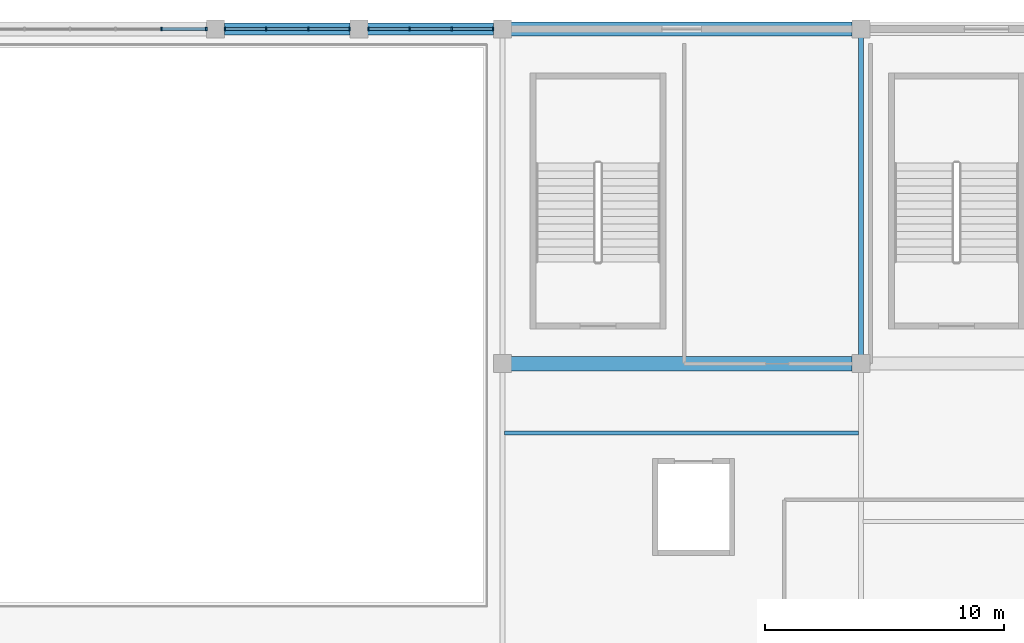
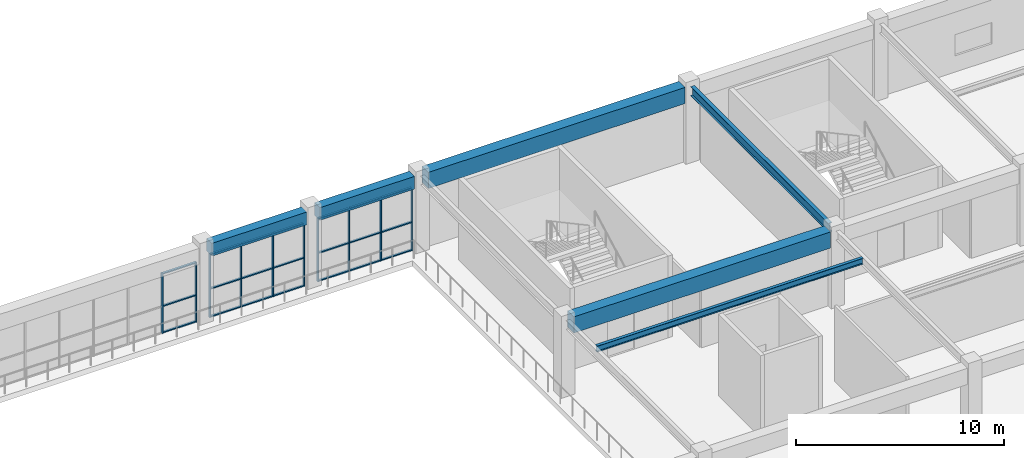
# One storey, part 64 of 112: 31 members, 6 beams, 3 elements without a shape of their own.
"""IFC4 building model written with IfcOpenShell, lengths in metres."""

from ifc_helpers import new_model, si_unit, direction, frame, origin, origin_2d, place, context, subcontext, project, spatial, rectangle, i_section, extrude, material, material_profile, profile_set, type_object, element, aggregate, save


model = new_model("IFC4")

# Units and contexts
model_context = context("Model", 3, precision=1e-05, world=origin(), true_north=direction((0.0, 1.0)))
body_context = subcontext(model_context, "Body", "Model", "MODEL_VIEW")
ifc_project = project(units=[si_unit("LENGTHUNIT", "METRE"), si_unit("AREAUNIT", "SQUARE_METRE"), si_unit("VOLUMEUNIT", "CUBIC_METRE"), si_unit("PLANEANGLEUNIT", "RADIAN"), si_unit("MASSUNIT", "GRAM", prefix="KILO")], contexts=[model_context])

# Site, building, storey
site_placement = place(None, origin())
site = spatial("IfcSite", under=ifc_project, at=site_placement, CompositionType="ELEMENT")
building_placement = place(site_placement, origin())
building = spatial("IfcBuilding", under=site, at=building_placement, Name="Cuetzalor Civic Arena", CompositionType="ELEMENT")
storey_placement = place(building_placement, frame((0.0, 0.0, 11.39990234375)))
storey = spatial("IfcBuildingStorey", under=building, at=storey_placement, Name="L02", CompositionType="ELEMENT", Elevation=11.39990234375)

# Beams
ifc_material_1 = material(Name="Concrete C40/50", Category="concrete")
ifc_material_profile_1 = material_profile(ifc_material_1, rectangle(XDim=0.5, YDim=0.75, at=origin_2d()), Name="RC 500x750")
ifc_profile_set_1 = profile_set([ifc_material_profile_1], Name="Concrete C40/50")
beam_type_1 = type_object("IfcBeamType", Name="ConcreteFrameBeam_500x750", PredefinedType="BEAM", material=ifc_profile_set_1)
for number, where, z_axis, x_axis, name in (
    (1, (-47.635009765625, 75.5, 4.10498046875), (1.0, 0.0, 0.0), (0.0, 1.0, 0.0), "Frame Girder V5-L02-X0810"),
    (2, (-41.635009765625, 75.5, 4.10498046875), (1.0, 0.0, 0.0), (0.0, 1.0, 0.0), "Frame Girder V5-L02-X0811"),
):
    element("IfcBeam", number, at=place(storey_placement, frame(where, z_axis=z_axis, x_axis=x_axis)), inside=storey, type_object=beam_type_1, Name=name, PredefinedType="BEAM", context=body_context, shape_type="SweptSolid", body=[
        extrude(rectangle(XDim=0.5, YDim=0.75, at=origin_2d()), origin(), (0.0, 0.0, 1.0), 5.27001953125),
    ])
ifc_material_2 = material(Name="Concrete C40/50", Category="concrete")
ifc_material_profile_2 = material_profile(ifc_material_2, rectangle(XDim=0.60009765625, YDim=0.949951171875, at=origin_2d()), Name="RC 600x950")
ifc_profile_set_2 = profile_set([ifc_material_profile_2], Name="Concrete C40/50")
beam_type_2 = type_object("IfcBeamType", Name="ConcreteFrameBeam_600x950", PredefinedType="BEAM", material=ifc_profile_set_2)
for number, where, z_axis, x_axis, name in (
    (3, (-35.635009765625, 61.5, 4.005126953125), (1.0, 0.0, 0.0), (0.0, 1.0, 0.0), "Frame Girder V5-L02-X0798"),
    (4, (-35.635009765625, 75.5, 4.005126953125), (1.0, 0.0, 0.0), (0.0, 1.0, 0.0), "Frame Girder V5-L02-X0812"),
):
    element("IfcBeam", number, at=place(storey_placement, frame(where, z_axis=z_axis, x_axis=x_axis)), inside=storey, type_object=beam_type_2, Name=name, PredefinedType="BEAM", context=body_context, shape_type="SweptSolid", body=[
        extrude(rectangle(XDim=0.60009765625, YDim=0.949951171875, at=origin_2d()), origin(), (0.0, 0.0, 1.0), 14.27001953125),
    ])

# Curtain wall, members
ifc_material_3 = material(Name="Anodised dark bronze aluminium and low-E solar glass", Category="aluminium")
curtain_wall_type_1 = type_object("IfcCurtainWallType", Name="StickCW_15300x3500", PredefinedType="USERDEFINED", material=ifc_material_3)
curtain_wall_1_placement = place(storey_placement, origin())
curtain_wall_1 = element("IfcCurtainWall", 5, at=curtain_wall_1_placement, inside=storey, type_object=curtain_wall_type_1, Name="Practice Court North-Light Curtain Wall L02-158", ObjectType="STICK CURTAIN WALL", PredefinedType="USERDEFINED")
ifc_material_4 = material(Name="Anodised dark bronze aluminium", Category="aluminium")
ifc_material_profile_3 = material_profile(ifc_material_4, rectangle(XDim=0.06494140625, YDim=0.14990234375, at=origin_2d()), Name="ALU MULLION 65x150")
ifc_profile_set_3 = profile_set([ifc_material_profile_3], Name="Anodised dark bronze aluminium")
member_type_1 = type_object("IfcMemberType", Name="CurtainWallMullion_60x150", PredefinedType="MULLION", material=ifc_profile_set_3)
member_1_placement = place(storey_placement, frame((-50.267822265625, 75.5, 0.0), z_axis=(0.0, 0.0, 1.0), x_axis=(1.0, 0.0, 0.0)))
member_1 = element("IfcMember", 6, at=member_1_placement, type_object=member_type_1, Name="CW-52 mullion 8", PredefinedType="MULLION", context=body_context, shape_type="SweptSolid", body=[
    extrude(rectangle(XDim=0.06494140625, YDim=0.14990234375, at=origin_2d()), origin(), (0.0, 0.0, 1.0), 3.52001953125),
])
member_2_placement = place(storey_placement, frame((-48.389404296875, 75.5, 0.0), z_axis=(0.0, 0.0, 1.0), x_axis=(1.0, 0.0, 0.0)))
member_2 = element("IfcMember", 7, at=member_2_placement, type_object=member_type_1, Name="CW-52 mullion 9", PredefinedType="MULLION", context=body_context, shape_type="SweptSolid", body=[
    extrude(rectangle(XDim=0.06494140625, YDim=0.14990234375, at=origin_2d()), origin(), (0.0, 0.0, 1.0), 3.52001953125),
])

ifc_material_5 = material(Name="Anodised dark bronze aluminium and low-E solar glass", Category="aluminium")
curtain_wall_type_2 = type_object("IfcCurtainWallType", Name="StickCW_5300x3700", PredefinedType="USERDEFINED", material=ifc_material_5)
curtain_wall_2_placement = place(storey_placement, origin())
curtain_wall_2 = element("IfcCurtainWall", 8, at=curtain_wall_2_placement, inside=storey, type_object=curtain_wall_type_2, Name="Practice Court North-Light Curtain Wall L02-159", ObjectType="STICK CURTAIN WALL", PredefinedType="USERDEFINED")
member_3_placement = place(storey_placement, frame((-47.610595703125, 75.5, 0.0), z_axis=(0.0, 0.0, 1.0), x_axis=(1.0, 0.0, 0.0)))
member_3 = element("IfcMember", 9, at=member_3_placement, type_object=member_type_1, Name="CW-53 mullion 1", PredefinedType="MULLION", context=body_context, shape_type="SweptSolid", body=[
    extrude(rectangle(XDim=0.06494140625, YDim=0.14990234375, at=origin_2d()), origin(), (0.0, 0.0, 1.0), 3.72021484375),
])
member_4_placement = place(storey_placement, frame((-45.881103515625, 75.5, 0.0), z_axis=(0.0, 0.0, 1.0), x_axis=(1.0, 0.0, 0.0)))
member_4 = element("IfcMember", 10, at=member_4_placement, type_object=member_type_1, Name="CW-53 mullion 2", PredefinedType="MULLION", context=body_context, shape_type="SweptSolid", body=[
    extrude(rectangle(XDim=0.06494140625, YDim=0.14990234375, at=origin_2d()), origin(), (0.0, 0.0, 1.0), 3.72021484375),
])
member_5_placement = place(storey_placement, frame((-44.118896484375, 75.5, 0.0), z_axis=(0.0, 0.0, 1.0), x_axis=(1.0, 0.0, 0.0)))
member_5 = element("IfcMember", 11, at=member_5_placement, type_object=member_type_1, Name="CW-53 mullion 3", PredefinedType="MULLION", context=body_context, shape_type="SweptSolid", body=[
    extrude(rectangle(XDim=0.06494140625, YDim=0.14990234375, at=origin_2d()), origin(), (0.0, 0.0, 1.0), 3.72021484375),
])
member_6_placement = place(storey_placement, frame((-42.389404296875, 75.5, 0.0), z_axis=(0.0, 0.0, 1.0), x_axis=(1.0, 0.0, 0.0)))
member_6 = element("IfcMember", 12, at=member_6_placement, type_object=member_type_1, Name="CW-53 mullion 4", PredefinedType="MULLION", context=body_context, shape_type="SweptSolid", body=[
    extrude(rectangle(XDim=0.06494140625, YDim=0.14990234375, at=origin_2d()), origin(), (0.0, 0.0, 1.0), 3.72021484375),
])

curtain_wall_3_placement = place(storey_placement, origin())
curtain_wall_3 = element("IfcCurtainWall", 13, at=curtain_wall_3_placement, inside=storey, type_object=curtain_wall_type_2, Name="Practice Court North-Light Curtain Wall L02-160", ObjectType="STICK CURTAIN WALL", PredefinedType="USERDEFINED")
member_7_placement = place(storey_placement, frame((-41.610595703125, 75.5, 0.0), z_axis=(0.0, 0.0, 1.0), x_axis=(1.0, 0.0, 0.0)))
member_7 = element("IfcMember", 14, at=member_7_placement, type_object=member_type_1, Name="CW-53 mullion 1", PredefinedType="MULLION", context=body_context, shape_type="SweptSolid", body=[
    extrude(rectangle(XDim=0.06494140625, YDim=0.14990234375, at=origin_2d()), origin(), (0.0, 0.0, 1.0), 3.72021484375),
])
member_8_placement = place(storey_placement, frame((-39.881103515625, 75.5, 0.0), z_axis=(0.0, 0.0, 1.0), x_axis=(1.0, 0.0, 0.0)))
member_8 = element("IfcMember", 15, at=member_8_placement, type_object=member_type_1, Name="CW-53 mullion 2", PredefinedType="MULLION", context=body_context, shape_type="SweptSolid", body=[
    extrude(rectangle(XDim=0.06494140625, YDim=0.14990234375, at=origin_2d()), origin(), (0.0, 0.0, 1.0), 3.72021484375),
])
member_9_placement = place(storey_placement, frame((-38.118896484375, 75.5, 0.0), z_axis=(0.0, 0.0, 1.0), x_axis=(1.0, 0.0, 0.0)))
member_9 = element("IfcMember", 16, at=member_9_placement, type_object=member_type_1, Name="CW-53 mullion 3", PredefinedType="MULLION", context=body_context, shape_type="SweptSolid", body=[
    extrude(rectangle(XDim=0.06494140625, YDim=0.14990234375, at=origin_2d()), origin(), (0.0, 0.0, 1.0), 3.72021484375),
])
member_10_placement = place(storey_placement, frame((-36.389404296875, 75.5, 0.0), z_axis=(0.0, 0.0, 1.0), x_axis=(1.0, 0.0, 0.0)))
member_10 = element("IfcMember", 17, at=member_10_placement, type_object=member_type_1, Name="CW-53 mullion 4", PredefinedType="MULLION", context=body_context, shape_type="SweptSolid", body=[
    extrude(rectangle(XDim=0.06494140625, YDim=0.14990234375, at=origin_2d()), origin(), (0.0, 0.0, 1.0), 3.72021484375),
])

# Member
ifc_material_6 = material(Name="Anodised dark bronze aluminium", Category="aluminium")
ifc_material_profile_4 = material_profile(ifc_material_6, rectangle(XDim=0.1201171875, YDim=0.06494140625, at=origin_2d()), Name="ALU TRANSOM 65x120")
ifc_profile_set_4 = profile_set([ifc_material_profile_4], Name="Anodised dark bronze aluminium")
member_type_2 = type_object("IfcMemberType", Name="CurtainWallTransom_60x120", PredefinedType="USERDEFINED", material=ifc_profile_set_4)
member_11_placement = place(storey_placement, frame((-50.2353515625, 75.5, 0.03271484375), z_axis=(1.0, 0.0, 0.0), x_axis=(0.0, 1.0, 0.0)))
member_11 = element("IfcMember", 18, at=member_11_placement, type_object=member_type_2, Name="CW-52 transom 8.1", ObjectType="TRANSOM", PredefinedType="USERDEFINED", context=body_context, shape_type="SweptSolid", body=[
    extrude(rectangle(XDim=0.1201171875, YDim=0.06494140625, at=origin_2d()), origin(), (0.0, 0.0, 1.0), 1.813232421875),
])

member_12_placement = place(storey_placement, frame((-50.2353515625, 75.5, 1.583984375), z_axis=(1.0, 0.0, 0.0), x_axis=(0.0, 1.0, 0.0)))
member_12 = element("IfcMember", 19, at=member_12_placement, type_object=member_type_2, Name="CW-52 transom 8.2", ObjectType="TRANSOM", PredefinedType="USERDEFINED", context=body_context, shape_type="SweptSolid", body=[
    extrude(rectangle(XDim=0.1201171875, YDim=0.06494140625, at=origin_2d()), origin(), (0.0, 0.0, 1.0), 1.813232421875),
])

member_13_placement = place(storey_placement, frame((-50.2353515625, 75.5, 3.487548828125), z_axis=(1.0, 0.0, 0.0), x_axis=(0.0, 1.0, 0.0)))
member_13 = element("IfcMember", 20, at=member_13_placement, type_object=member_type_2, Name="CW-52 transom 8.3", ObjectType="TRANSOM", PredefinedType="USERDEFINED", context=body_context, shape_type="SweptSolid", body=[
    extrude(rectangle(XDim=0.1201171875, YDim=0.06494140625, at=origin_2d()), origin(), (0.0, 0.0, 1.0), 1.813232421875),
])

aggregate(curtain_wall_1, [member_1, member_2, member_11, member_12, member_13])

member_14_placement = place(storey_placement, frame((-47.577880859375, 75.5, 0.03271484375), z_axis=(1.0, 0.0, 0.0), x_axis=(0.0, 1.0, 0.0)))
member_14 = element("IfcMember", 21, at=member_14_placement, type_object=member_type_2, Name="CW-53 transom 1.1", ObjectType="TRANSOM", PredefinedType="USERDEFINED", context=body_context, shape_type="SweptSolid", body=[
    extrude(rectangle(XDim=0.1201171875, YDim=0.06494140625, at=origin_2d()), origin(), (0.0, 0.0, 1.0), 1.664306640625),
])

member_15_placement = place(storey_placement, frame((-47.577880859375, 75.5, 1.674072265625), z_axis=(1.0, 0.0, 0.0), x_axis=(0.0, 1.0, 0.0)))
member_15 = element("IfcMember", 22, at=member_15_placement, type_object=member_type_2, Name="CW-53 transom 1.2", ObjectType="TRANSOM", PredefinedType="USERDEFINED", context=body_context, shape_type="SweptSolid", body=[
    extrude(rectangle(XDim=0.1201171875, YDim=0.06494140625, at=origin_2d()), origin(), (0.0, 0.0, 1.0), 1.664306640625),
])

member_16_placement = place(storey_placement, frame((-47.577880859375, 75.5, 3.6875), z_axis=(1.0, 0.0, 0.0), x_axis=(0.0, 1.0, 0.0)))
member_16 = element("IfcMember", 23, at=member_16_placement, type_object=member_type_2, Name="CW-53 transom 1.3", ObjectType="TRANSOM", PredefinedType="USERDEFINED", context=body_context, shape_type="SweptSolid", body=[
    extrude(rectangle(XDim=0.1201171875, YDim=0.06494140625, at=origin_2d()), origin(), (0.0, 0.0, 1.0), 1.664306640625),
])

member_17_placement = place(storey_placement, frame((-45.848388671875, 75.5, 0.03271484375), z_axis=(1.0, 0.0, 0.0), x_axis=(0.0, 1.0, 0.0)))
member_17 = element("IfcMember", 24, at=member_17_placement, type_object=member_type_2, Name="CW-53 transom 2.1", ObjectType="TRANSOM", PredefinedType="USERDEFINED", context=body_context, shape_type="SweptSolid", body=[
    extrude(rectangle(XDim=0.1201171875, YDim=0.06494140625, at=origin_2d()), origin(), (0.0, 0.0, 1.0), 1.69677734375),
])

member_18_placement = place(storey_placement, frame((-45.848388671875, 75.5, 1.674072265625), z_axis=(1.0, 0.0, 0.0), x_axis=(0.0, 1.0, 0.0)))
member_18 = element("IfcMember", 25, at=member_18_placement, type_object=member_type_2, Name="CW-53 transom 2.2", ObjectType="TRANSOM", PredefinedType="USERDEFINED", context=body_context, shape_type="SweptSolid", body=[
    extrude(rectangle(XDim=0.1201171875, YDim=0.06494140625, at=origin_2d()), origin(), (0.0, 0.0, 1.0), 1.69677734375),
])

member_19_placement = place(storey_placement, frame((-45.848388671875, 75.5, 3.6875), z_axis=(1.0, 0.0, 0.0), x_axis=(0.0, 1.0, 0.0)))
member_19 = element("IfcMember", 26, at=member_19_placement, type_object=member_type_2, Name="CW-53 transom 2.3", ObjectType="TRANSOM", PredefinedType="USERDEFINED", context=body_context, shape_type="SweptSolid", body=[
    extrude(rectangle(XDim=0.1201171875, YDim=0.06494140625, at=origin_2d()), origin(), (0.0, 0.0, 1.0), 1.69677734375),
])

member_20_placement = place(storey_placement, frame((-44.08642578125, 75.5, 0.03271484375), z_axis=(1.0, 0.0, 0.0), x_axis=(0.0, 1.0, 0.0)))
member_20 = element("IfcMember", 27, at=member_20_placement, type_object=member_type_2, Name="CW-53 transom 3.1", ObjectType="TRANSOM", PredefinedType="USERDEFINED", context=body_context, shape_type="SweptSolid", body=[
    extrude(rectangle(XDim=0.1201171875, YDim=0.06494140625, at=origin_2d()), origin(), (0.0, 0.0, 1.0), 1.664306640625),
])

member_21_placement = place(storey_placement, frame((-44.08642578125, 75.5, 1.674072265625), z_axis=(1.0, 0.0, 0.0), x_axis=(0.0, 1.0, 0.0)))
member_21 = element("IfcMember", 28, at=member_21_placement, type_object=member_type_2, Name="CW-53 transom 3.2", ObjectType="TRANSOM", PredefinedType="USERDEFINED", context=body_context, shape_type="SweptSolid", body=[
    extrude(rectangle(XDim=0.1201171875, YDim=0.06494140625, at=origin_2d()), origin(), (0.0, 0.0, 1.0), 1.664306640625),
])

member_22_placement = place(storey_placement, frame((-44.08642578125, 75.5, 3.6875), z_axis=(1.0, 0.0, 0.0), x_axis=(0.0, 1.0, 0.0)))
member_22 = element("IfcMember", 29, at=member_22_placement, type_object=member_type_2, Name="CW-53 transom 3.3", ObjectType="TRANSOM", PredefinedType="USERDEFINED", context=body_context, shape_type="SweptSolid", body=[
    extrude(rectangle(XDim=0.1201171875, YDim=0.06494140625, at=origin_2d()), origin(), (0.0, 0.0, 1.0), 1.664306640625),
])

aggregate(curtain_wall_2, [member_3, member_4, member_5, member_6, member_14, member_15, member_16, member_17, member_18, member_19, member_20, member_21, member_22])

member_23_placement = place(storey_placement, frame((-41.577880859375, 75.5, 0.03271484375), z_axis=(1.0, 0.0, 0.0), x_axis=(0.0, 1.0, 0.0)))
member_23 = element("IfcMember", 30, at=member_23_placement, type_object=member_type_2, Name="CW-53 transom 1.1", ObjectType="TRANSOM", PredefinedType="USERDEFINED", context=body_context, shape_type="SweptSolid", body=[
    extrude(rectangle(XDim=0.1201171875, YDim=0.06494140625, at=origin_2d()), origin(), (0.0, 0.0, 1.0), 1.664306640625),
])

member_24_placement = place(storey_placement, frame((-41.577880859375, 75.5, 1.674072265625), z_axis=(1.0, 0.0, 0.0), x_axis=(0.0, 1.0, 0.0)))
member_24 = element("IfcMember", 31, at=member_24_placement, type_object=member_type_2, Name="CW-53 transom 1.2", ObjectType="TRANSOM", PredefinedType="USERDEFINED", context=body_context, shape_type="SweptSolid", body=[
    extrude(rectangle(XDim=0.1201171875, YDim=0.06494140625, at=origin_2d()), origin(), (0.0, 0.0, 1.0), 1.664306640625),
])

member_25_placement = place(storey_placement, frame((-41.577880859375, 75.5, 3.6875), z_axis=(1.0, 0.0, 0.0), x_axis=(0.0, 1.0, 0.0)))
member_25 = element("IfcMember", 32, at=member_25_placement, type_object=member_type_2, Name="CW-53 transom 1.3", ObjectType="TRANSOM", PredefinedType="USERDEFINED", context=body_context, shape_type="SweptSolid", body=[
    extrude(rectangle(XDim=0.1201171875, YDim=0.06494140625, at=origin_2d()), origin(), (0.0, 0.0, 1.0), 1.664306640625),
])

member_26_placement = place(storey_placement, frame((-39.848388671875, 75.5, 0.03271484375), z_axis=(1.0, 0.0, 0.0), x_axis=(0.0, 1.0, 0.0)))
member_26 = element("IfcMember", 33, at=member_26_placement, type_object=member_type_2, Name="CW-53 transom 2.1", ObjectType="TRANSOM", PredefinedType="USERDEFINED", context=body_context, shape_type="SweptSolid", body=[
    extrude(rectangle(XDim=0.1201171875, YDim=0.06494140625, at=origin_2d()), origin(), (0.0, 0.0, 1.0), 1.69677734375),
])

member_27_placement = place(storey_placement, frame((-39.848388671875, 75.5, 1.674072265625), z_axis=(1.0, 0.0, 0.0), x_axis=(0.0, 1.0, 0.0)))
member_27 = element("IfcMember", 34, at=member_27_placement, type_object=member_type_2, Name="CW-53 transom 2.2", ObjectType="TRANSOM", PredefinedType="USERDEFINED", context=body_context, shape_type="SweptSolid", body=[
    extrude(rectangle(XDim=0.1201171875, YDim=0.06494140625, at=origin_2d()), origin(), (0.0, 0.0, 1.0), 1.69677734375),
])

member_28_placement = place(storey_placement, frame((-39.848388671875, 75.5, 3.6875), z_axis=(1.0, 0.0, 0.0), x_axis=(0.0, 1.0, 0.0)))
member_28 = element("IfcMember", 35, at=member_28_placement, type_object=member_type_2, Name="CW-53 transom 2.3", ObjectType="TRANSOM", PredefinedType="USERDEFINED", context=body_context, shape_type="SweptSolid", body=[
    extrude(rectangle(XDim=0.1201171875, YDim=0.06494140625, at=origin_2d()), origin(), (0.0, 0.0, 1.0), 1.69677734375),
])

member_29_placement = place(storey_placement, frame((-38.08642578125, 75.5, 0.03271484375), z_axis=(1.0, 0.0, 0.0), x_axis=(0.0, 1.0, 0.0)))
member_29 = element("IfcMember", 36, at=member_29_placement, type_object=member_type_2, Name="CW-53 transom 3.1", ObjectType="TRANSOM", PredefinedType="USERDEFINED", context=body_context, shape_type="SweptSolid", body=[
    extrude(rectangle(XDim=0.1201171875, YDim=0.06494140625, at=origin_2d()), origin(), (0.0, 0.0, 1.0), 1.664306640625),
])

member_30_placement = place(storey_placement, frame((-38.08642578125, 75.5, 1.674072265625), z_axis=(1.0, 0.0, 0.0), x_axis=(0.0, 1.0, 0.0)))
member_30 = element("IfcMember", 37, at=member_30_placement, type_object=member_type_2, Name="CW-53 transom 3.2", ObjectType="TRANSOM", PredefinedType="USERDEFINED", context=body_context, shape_type="SweptSolid", body=[
    extrude(rectangle(XDim=0.1201171875, YDim=0.06494140625, at=origin_2d()), origin(), (0.0, 0.0, 1.0), 1.664306640625),
])

member_31_placement = place(storey_placement, frame((-38.08642578125, 75.5, 3.6875), z_axis=(1.0, 0.0, 0.0), x_axis=(0.0, 1.0, 0.0)))
member_31 = element("IfcMember", 38, at=member_31_placement, type_object=member_type_2, Name="CW-53 transom 3.3", ObjectType="TRANSOM", PredefinedType="USERDEFINED", context=body_context, shape_type="SweptSolid", body=[
    extrude(rectangle(XDim=0.1201171875, YDim=0.06494140625, at=origin_2d()), origin(), (0.0, 0.0, 1.0), 1.664306640625),
])

aggregate(curtain_wall_3, [member_7, member_8, member_9, member_10, member_23, member_24, member_25, member_26, member_27, member_28, member_29, member_30, member_31])

# Beams
ifc_material_7 = material(Name="Steel S355", Category="steel")
ifc_material_profile_5 = material_profile(ifc_material_7, i_section(OverallWidth=0.1708984375, OverallDepth=0.35498046875, WebThickness=0.007080078125, FlangeThickness=0.01171875, at=origin_2d()), Name="W360x51")
ifc_profile_set_5 = profile_set([ifc_material_profile_5], Name="Steel S355")
beam_type_3 = type_object("IfcBeamType", Name="SecondaryFloorJoist_W360", PredefinedType="JOIST", material=ifc_profile_set_5)
beam_1_placement = place(storey_placement, frame((-35.903564453125, 58.595947265625, 4.302490234375), z_axis=(1.0, 0.0, 0.0), x_axis=(0.0, 1.0, 0.0)))
element("IfcBeam", 39, at=beam_1_placement, inside=storey, type_object=beam_type_3, Name="Secondary Floor Joist V5-L02-0247", PredefinedType="JOIST", context=body_context, shape_type="SweptSolid", body=[
    extrude(i_section(OverallWidth=0.1708984375, OverallDepth=0.35498046875, WebThickness=0.007080078125, FlangeThickness=0.01171875, at=origin_2d()), origin(), (0.0, 0.0, 1.0), 14.80712890625),
])
ifc_material_8 = material(Name="Steel S355", Category="steel")
ifc_material_profile_6 = material_profile(ifc_material_8, i_section(OverallWidth=0.208984375, OverallDepth=0.532958984375, WebThickness=0.01025390625, FlangeThickness=0.015625, at=origin_2d()), Name="W530x92")
ifc_profile_set_6 = profile_set([ifc_material_profile_6], Name="Steel S355")
beam_type_4 = type_object("IfcBeamType", Name="SteelCollarGirder_W530", PredefinedType="BEAM", material=ifc_profile_set_6)
beam_2_placement = place(storey_placement, frame((-21.0, 61.864990234375, 4.213623046875), z_axis=(0.0, 1.0, 0.0), x_axis=(-1.0, 0.0, 0.0)))
element("IfcBeam", 40, at=beam_2_placement, inside=storey, type_object=beam_type_4, Name="Frame Girder V5-L02-Y0831", PredefinedType="BEAM", context=body_context, shape_type="SweptSolid", body=[
    extrude(i_section(OverallWidth=0.208984375, OverallDepth=0.532958984375, WebThickness=0.01025390625, FlangeThickness=0.015625, at=origin_2d()), origin(), (0.0, 0.0, 1.0), 13.27001953125),
])

save(model, "model.ifc")
